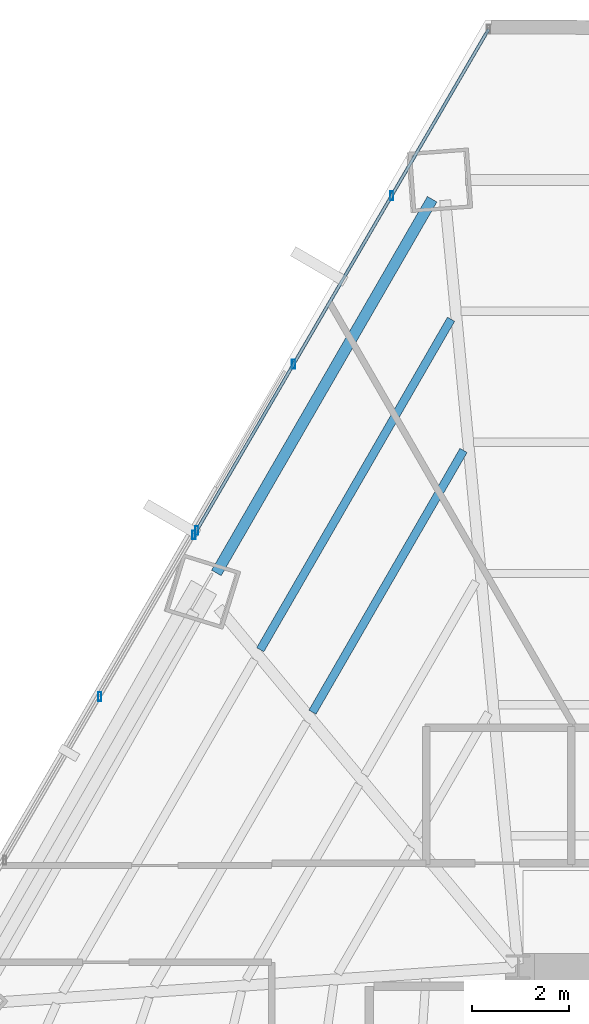
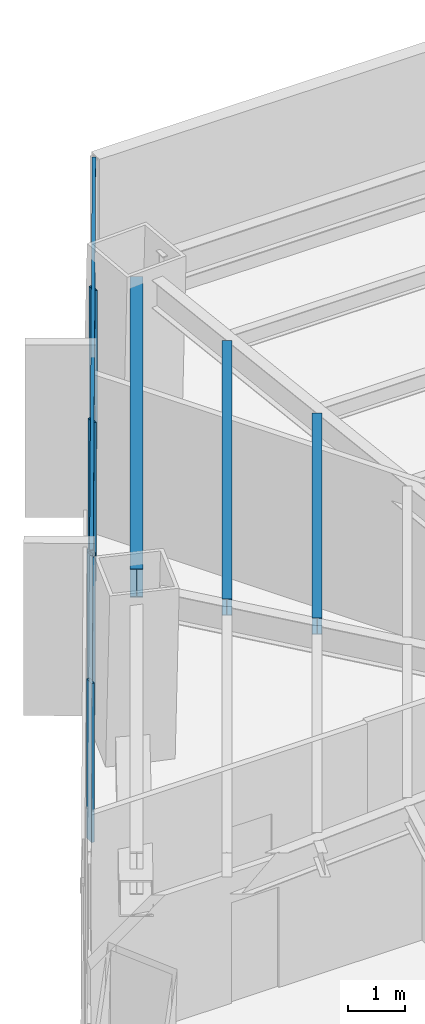
# One storey, part 22 of 33: 7 members, 3 beams, 2 elements without a shape of their own.
"""IFC4 building model written with IfcOpenShell, lengths in metres."""

from ifc_helpers import new_model, si_unit, direction, frame, origin, origin_2d, place, context, subcontext, project, spatial, hollow_rectangle, i_section, extrude, source, transform, mapped, material, material_profile, profile_set, type_object, type_shapes, element, aggregate, save


model = new_model("IFC4")

# Units and contexts
model_context = context("Model", 3, precision=1e-05, world=origin(), true_north=direction((0.0, 1.0)))
body_context = subcontext(model_context, "Body", "Model", "MODEL_VIEW")
ifc_project = project(units=[si_unit("LENGTHUNIT", "METRE"), si_unit("AREAUNIT", "SQUARE_METRE"), si_unit("VOLUMEUNIT", "CUBIC_METRE"), si_unit("PLANEANGLEUNIT", "RADIAN"), si_unit("MASSUNIT", "GRAM", prefix="KILO")], contexts=[model_context])

# Site, building, storey
site_placement = place(None, origin())
site = spatial("IfcSite", under=ifc_project, at=site_placement, CompositionType="ELEMENT")
building_placement = place(site_placement, origin())
building = spatial("IfcBuilding", under=site, at=building_placement, Name="Caelisora Broadcast Tower", CompositionType="ELEMENT")
storey_placement = place(building_placement, frame((0.0, 0.0, 34.89990234375)))
storey = spatial("IfcBuildingStorey", under=building, at=storey_placement, Name="L08", CompositionType="ELEMENT", Elevation=34.89990234375)

# Beams
ifc_material_1 = material(Name="Steel Grade 350 (AS/NZS 3679.1)", Category="steel")
ifc_material_profile_1 = material_profile(ifc_material_1, i_section(OverallWidth=0.22900390625, OverallDepth=0.611572265625, WebThickness=0.011962890625, FlangeThickness=0.01953125, at=origin_2d()), Name="Steel Grade 350 (AS/NZS 3679.1)")
ifc_profile_set_1 = profile_set([ifc_material_profile_1], Name="Steel Grade 350 (AS/NZS 3679.1)")
beam_type_1 = type_object("IfcBeamType", Name="PG03", PredefinedType="BEAM", material=ifc_profile_set_1)
shared_shape_1 = source(origin(), body_context, "Body", "SweptSolid", [
    extrude(i_section(OverallWidth=0.22900390625, OverallDepth=0.611572265625, WebThickness=0.011962890625, FlangeThickness=0.01953125, at=origin_2d()), origin(), (0.0, 0.0, 1.0), 8.933349609375),
])
type_shapes(beam_type_1, [shared_shape_1])
beam_1_placement = place(storey_placement, frame((28.72021484375, 45.892822265625, 3.09423828125), z_axis=(-0.500018952895, -0.866014461049, 0.0), x_axis=(0.866014461049, -0.500018952895, 0.0)))
element("IfcBeam", 1, at=beam_1_placement, inside=storey, type_object=beam_type_1, Name="L08 beam PG03", PredefinedType="BEAM", context=body_context, shape_type="MappedRepresentation", body=[
    mapped(shared_shape_1, transform((0.0, 0.0, 0.0), scale=1.0)),
])
ifc_material_profile_2 = material_profile(ifc_material_1, i_section(OverallWidth=0.172119140625, OverallDepth=0.358642578125, WebThickness=0.008056640625, FlangeThickness=0.012939453125, at=origin_2d()), Name="Steel Grade 350 (AS/NZS 3679.1)")
ifc_profile_set_2 = profile_set([ifc_material_profile_2], Name="Steel Grade 350 (AS/NZS 3679.1)")
beam_type_2 = type_object("IfcBeamType", Name="SB02", PredefinedType="JOIST", material=ifc_profile_set_2)
shared_shape_2 = source(origin(), body_context, "Body", "SweptSolid", [
    extrude(i_section(OverallWidth=0.172119140625, OverallDepth=0.358642578125, WebThickness=0.008056640625, FlangeThickness=0.012939453125, at=origin_2d()), origin(), (0.0, 0.0, 1.0), 6.2568359375),
])
beam_2_placement = place(storey_placement, frame((29.369873046875, 40.693115234375, 3.220703125), z_axis=(-0.500008432076, -0.866020535468, 0.0), x_axis=(0.866020535468, -0.500008432076, 0.0)))
element("IfcBeam", 2, at=beam_2_placement, inside=storey, type_object=beam_type_2, Name="L08 beam SB02", PredefinedType="JOIST", context=body_context, shape_type="MappedRepresentation", body=[
    mapped(shared_shape_2, transform((0.0, 0.0, 0.0), scale=1.0)),
])
shared_shape_3 = source(origin(), body_context, "Body", "SweptSolid", [
    extrude(i_section(OverallWidth=0.172119140625, OverallDepth=0.358642578125, WebThickness=0.008056640625, FlangeThickness=0.012939453125, at=origin_2d()), origin(), (0.0, 0.0, 1.0), 7.899169921875),
])
type_shapes(beam_type_2, [shared_shape_2, shared_shape_3])
beam_3_placement = place(storey_placement, frame((29.111572265625, 43.408447265625, 3.220703125), z_axis=(-0.499991781437, -0.866030148722, 0.0), x_axis=(0.866030148722, -0.499991781437, 0.0)))
element("IfcBeam", 3, at=beam_3_placement, inside=storey, type_object=beam_type_2, Name="L08 beam SB02", PredefinedType="JOIST", context=body_context, shape_type="MappedRepresentation", body=[
    mapped(shared_shape_3, transform((0.0, 0.0, 0.0), scale=1.0)),
])

# Curtain wall, members
ifc_material_2 = material(Name="Unitised Aluminium Insulated Shadow-Box Spandrel Curtain Wall", Category="aluminium")
curtain_wall_type_1 = type_object("IfcCurtainWallType", Name="CW-SP1", PredefinedType="NOTDEFINED", material=ifc_material_2)
curtain_wall_1_placement = place(storey_placement, origin())
curtain_wall_1 = element("IfcCurtainWall", 4, at=curtain_wall_1_placement, inside=storey, type_object=curtain_wall_type_1, Name="L08 curtain wall CW-SP1", PredefinedType="NOTDEFINED")
ifc_material_3 = material(Name="Aluminium 6063-T6 Anodised Terracotta Bronze", Category="aluminium")
ifc_material_profile_3 = material_profile(ifc_material_3, hollow_rectangle(XDim=0.06494140625, YDim=0.179931640625, WallThickness=0.00341796875, at=origin_2d()), Name="Aluminium 6063-T6 Anodised Terracotta Bronze")
ifc_profile_set_3 = profile_set([ifc_material_profile_3], Name="Aluminium 6063-T6 Anodised Terracotta Bronze")
member_type_1 = type_object("IfcMemberType", Name="CWM-02", PredefinedType="MULLION", material=ifc_profile_set_3)
shared_shape_4 = source(origin(), body_context, "Body", "SweptSolid", [
    extrude(hollow_rectangle(XDim=0.06494140625, YDim=0.179931640625, WallThickness=0.00341796875, at=origin_2d()), origin(), (0.0, 0.0, 1.0), 3.400146484375),
])
type_shapes(member_type_1, [shared_shape_4])
member_1_placement = place(storey_placement, frame((21.841796875, 35.595458984375, 0.0), z_axis=(0.0, 0.0, 1.0), x_axis=(1.0, 0.0, 0.0)))
member_1 = element("IfcMember", 5, at=member_1_placement, type_object=member_type_1, Name="L08-CW-B10 mullion #2", PredefinedType="MULLION", context=body_context, shape_type="MappedRepresentation", body=[
    mapped(shared_shape_4, transform((0.0, 0.0, 0.0), scale=1.0)),
])
member_2_placement = place(storey_placement, frame((23.789794921875, 38.939697265625, 0.0), z_axis=(0.0, 0.0, 1.0), x_axis=(1.0, 0.0, 0.0)))
member_2 = element("IfcMember", 6, at=member_2_placement, type_object=member_type_1, Name="L08-CW-B10 mullion #3", PredefinedType="MULLION", context=body_context, shape_type="MappedRepresentation", body=[
    mapped(shared_shape_4, transform((0.0, 0.0, 0.0), scale=1.0)),
])
aggregate(curtain_wall_1, [member_1, member_2])

ifc_material_4 = material(Name="Unitised Aluminium and Low-E Glass Curtain Wall", Category="glass")
curtain_wall_type_2 = type_object("IfcCurtainWallType", Name="CW-Z1", PredefinedType="NOTDEFINED", material=ifc_material_4)
curtain_wall_2_placement = place(storey_placement, origin())
curtain_wall_2 = element("IfcCurtainWall", 7, at=curtain_wall_2_placement, inside=storey, type_object=curtain_wall_type_2, Name="L08 curtain wall CW-Z1", PredefinedType="NOTDEFINED")
member_3_placement = place(storey_placement, frame((23.84521484375, 39.03466796875, 0.0), z_axis=(0.0, 0.0, 1.0), x_axis=(1.0, 0.0, 0.0)))
member_3 = element("IfcMember", 8, at=member_3_placement, type_object=member_type_1, Name="L08-CW-B11 mullion #0", PredefinedType="MULLION", context=body_context, shape_type="MappedRepresentation", body=[
    mapped(shared_shape_4, transform((0.0, 0.0, 0.0), scale=1.0)),
])
member_4_placement = place(storey_placement, frame((25.850830078125, 42.478759765625, 0.0), z_axis=(0.0, 0.0, 1.0), x_axis=(1.0, 0.0, 0.0)))
member_4 = element("IfcMember", 9, at=member_4_placement, type_object=member_type_1, Name="L08-CW-B11 mullion #1", PredefinedType="MULLION", context=body_context, shape_type="MappedRepresentation", body=[
    mapped(shared_shape_4, transform((0.0, 0.0, 0.0), scale=1.0)),
])
member_5_placement = place(storey_placement, frame((27.882080078125, 45.9658203125, 0.0), z_axis=(0.0, 0.0, 1.0), x_axis=(1.0, 0.0, 0.0)))
member_5 = element("IfcMember", 10, at=member_5_placement, type_object=member_type_1, Name="L08-CW-B11 mullion #2", PredefinedType="MULLION", context=body_context, shape_type="MappedRepresentation", body=[
    mapped(shared_shape_4, transform((0.0, 0.0, 0.0), scale=1.0)),
])
ifc_material_profile_4 = material_profile(ifc_material_3, hollow_rectangle(XDim=0.06494140625, YDim=0.179931640625, WallThickness=0.00341796875, at=origin_2d()), Name="Aluminium 6063-T6 Anodised Terracotta Bronze")
ifc_profile_set_4 = profile_set([ifc_material_profile_4], Name="Aluminium 6063-T6 Anodised Terracotta Bronze")
member_type_2 = type_object("IfcMemberType", Name="CWT-01", PredefinedType="USERDEFINED", material=ifc_profile_set_4)
shared_shape_5 = source(origin(), body_context, "Body", "SweptSolid", [
    extrude(hollow_rectangle(XDim=0.06494140625, YDim=0.179931640625, WallThickness=0.00341796875, at=origin_2d()), origin(), (0.0, 0.0, 1.0), 12.006591796875),
])
type_shapes(member_type_2, [shared_shape_5])
member_6_placement = place(storey_placement, frame((23.84521484375, 39.03466796875, 0.85009765625), z_axis=(0.503265308138, 0.864131951513, 0.0), x_axis=(-0.864131951513, 0.503265308138, 0.0)))
member_6 = element("IfcMember", 11, at=member_6_placement, type_object=member_type_2, Name="L08-CW-B11 transom #1", ObjectType="TRANSOM", PredefinedType="USERDEFINED", context=body_context, shape_type="MappedRepresentation", body=[
    mapped(shared_shape_5, transform((0.0, 0.0, 0.0), scale=1.0)),
])
member_7_placement = place(storey_placement, frame((23.84521484375, 39.03466796875, 3.320068359375), z_axis=(0.503265308138, 0.864131951513, 0.0), x_axis=(-0.864131951513, 0.503265308138, 0.0)))
member_7 = element("IfcMember", 12, at=member_7_placement, type_object=member_type_2, Name="L08-CW-B11 transom #2", ObjectType="TRANSOM", PredefinedType="USERDEFINED", context=body_context, shape_type="MappedRepresentation", body=[
    mapped(shared_shape_5, transform((0.0, 0.0, 0.0), scale=1.0)),
])
aggregate(curtain_wall_2, [member_3, member_4, member_5, member_6, member_7])

save(model, "model.ifc")
